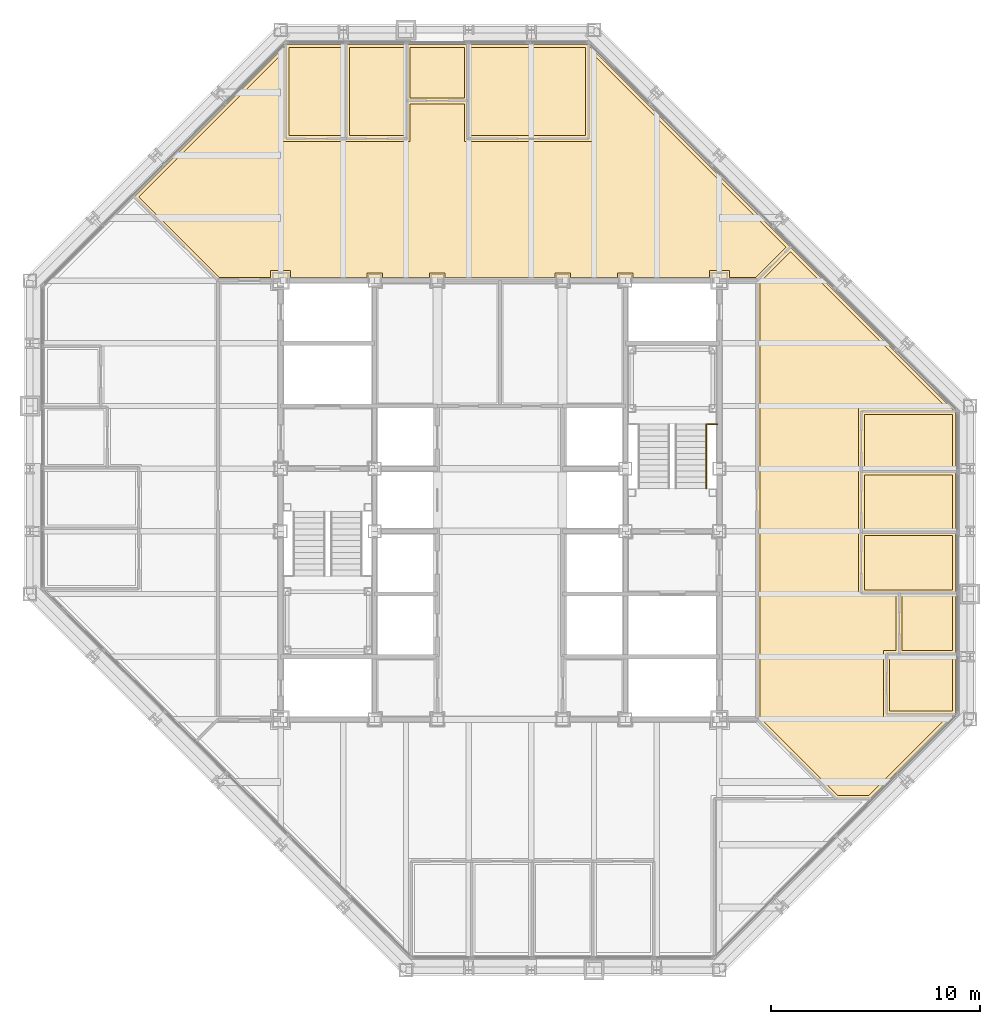
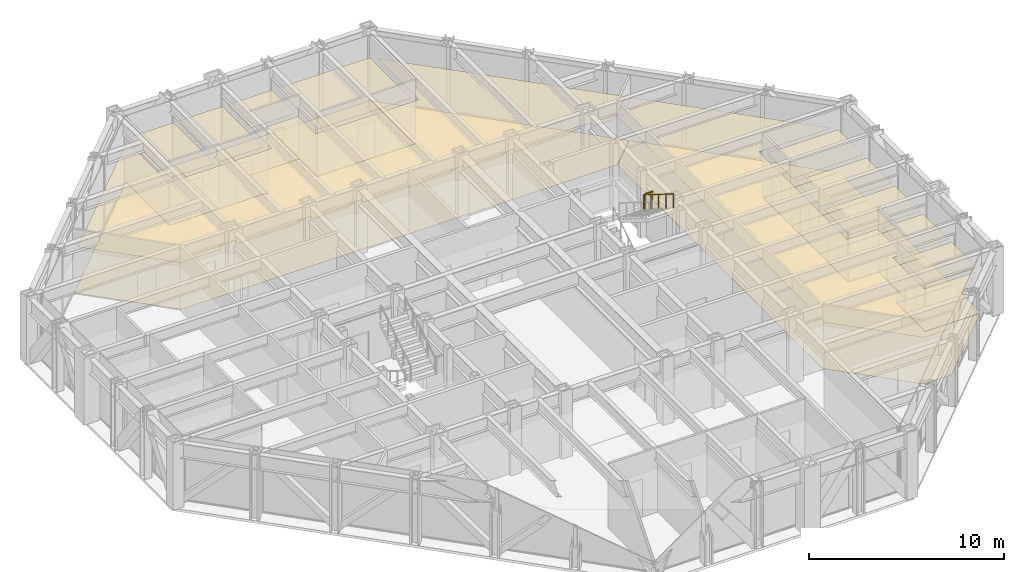
# One storey, part 15 of 15: 22 coverings, 2 railings.
"""IFC4 building model written with IfcOpenShell, lengths in metres."""

from ifc_helpers import new_model, si_unit, direction, frame, origin, origin_2d, place, context, subcontext, project, spatial, polyline, circle, outline, extrude, material, layer, layer_set, type_object, element, save


model = new_model("IFC4")

# Units and contexts
model_context = context("Model", 3, precision=1e-05, world=origin(), true_north=direction((0.0, 1.0)))
body_context = subcontext(model_context, "Body", "Model", "MODEL_VIEW")
ifc_project = project(units=[si_unit("LENGTHUNIT", "METRE"), si_unit("AREAUNIT", "SQUARE_METRE"), si_unit("VOLUMEUNIT", "CUBIC_METRE"), si_unit("PLANEANGLEUNIT", "RADIAN"), si_unit("MASSUNIT", "GRAM", prefix="KILO")], contexts=[model_context])

# Site, building, storey
site_placement = place(None, origin())
site = spatial("IfcSite", under=ifc_project, at=site_placement, CompositionType="ELEMENT")
building_placement = place(site_placement, origin())
building = spatial("IfcBuilding", under=site, at=building_placement, Name="Chuquiago Exchange Tower", CompositionType="ELEMENT")
storey_placement = place(building_placement, frame((0.0, 0.0, 192.89990234375)))
storey = spatial("IfcBuildingStorey", under=building, at=storey_placement, Name="L42", CompositionType="ELEMENT", Elevation=192.89990234375)

# Coverings
ifc_material_1 = material(Name="Mineral fibre tile, 600 x 600, on pale metal grid", Category="mineral fibre")
ifc_layer_1 = layer(ifc_material_1, 0.02001953125)
ifc_layer_set_1 = layer_set([ifc_layer_1], Name="CL1 suspended tile ceiling 20")
covering_type_1 = type_object("IfcCoveringType", Name="CL1 suspended tile ceiling 20", PredefinedType="CEILING", material=ifc_layer_set_1)
covering_1_placement = place(storey_placement, frame((0.0, 0.0, 2.800048828125)))
element("IfcCovering", 1, at=covering_1_placement, inside=storey, type_object=covering_type_1, Name="Ceiling Pantry", PredefinedType="CEILING", context=body_context, shape_type="SweptSolid", body=[
    extrude(outline(polyline([(41.14990234375, 12.3984375), (41.14990234375, 14.9990234375), (44.14990234375, 14.9990234375), (44.14990234375, 12.3984375), (41.14990234375, 12.3984375)])), origin(), (0.0, 0.0, 1.0), 0.02001953125),
])
covering_2_placement = place(storey_placement, frame((0.0, 0.0, 2.800048828125)))
element("IfcCovering", 2, at=covering_2_placement, inside=storey, type_object=covering_type_1, Name="Ceiling Focus room", PredefinedType="CEILING", context=body_context, shape_type="SweptSolid", body=[
    extrude(outline(polyline([(41.75, 15.299072265625), (41.75, 17.899658203125), (44.14990234375, 17.899658203125), (44.14990234375, 15.299072265625), (41.75, 15.299072265625)])), origin(), (0.0, 0.0, 1.0), 0.02001953125),
])
covering_3_placement = place(storey_placement, frame((0.0, 0.0, 2.800048828125)))
element("IfcCovering", 3, at=covering_3_placement, inside=storey, type_object=covering_type_1, Name="Ceiling Office", PredefinedType="CEILING", context=body_context, shape_type="SweptSolid", body=[
    extrude(outline(polyline([(39.949951171875, 18.19970703125), (39.949951171875, 20.80029296875), (44.14990234375, 20.80029296875), (44.14990234375, 18.19970703125), (39.949951171875, 18.19970703125)])), origin(), (0.0, 0.0, 1.0), 0.02001953125),
])
covering_4_placement = place(storey_placement, frame((0.0, 0.0, 2.800048828125)))
element("IfcCovering", 4, at=covering_4_placement, inside=storey, type_object=covering_type_1, Name="Ceiling Meeting room", PredefinedType="CEILING", context=body_context, shape_type="SweptSolid", body=[
    extrude(outline(polyline([(39.949951171875, 21.100341796875), (39.949951171875, 23.700927734375), (44.14990234375, 23.700927734375), (44.14990234375, 21.100341796875), (39.949951171875, 21.100341796875)])), origin(), (0.0, 0.0, 1.0), 0.02001953125),
])
covering_5_placement = place(storey_placement, frame((0.0, 0.0, 2.800048828125)))
element("IfcCovering", 5, at=covering_5_placement, inside=storey, type_object=covering_type_1, Name="Ceiling Meeting room", PredefinedType="CEILING", context=body_context, shape_type="SweptSolid", body=[
    extrude(outline(polyline([(44.14990234375, 24.0009765625), (39.949951171875, 24.0009765625), (39.949951171875, 26.6015625), (44.14990234375, 26.6015625), (44.14990234375, 24.0009765625)])), origin(), (0.0, 0.0, 1.0), 0.02001953125),
])
covering_6_placement = place(storey_placement, frame((0.0, 0.0, 2.800048828125)))
element("IfcCovering", 6, at=covering_6_placement, inside=storey, type_object=covering_type_1, Name="Ceiling Office", PredefinedType="CEILING", context=body_context, shape_type="SweptSolid", body=[
    extrude(outline(polyline([(14.9990234375, 44.14990234375), (14.9990234375, 39.949951171875), (12.3984375, 39.949951171875), (12.3984375, 44.14990234375), (14.9990234375, 44.14990234375)])), origin(), (0.0, 0.0, 1.0), 0.02001953125),
])
covering_7_placement = place(storey_placement, frame((0.0, 0.0, 2.800048828125)))
element("IfcCovering", 7, at=covering_7_placement, inside=storey, type_object=covering_type_1, Name="Ceiling Office", PredefinedType="CEILING", context=body_context, shape_type="SweptSolid", body=[
    extrude(outline(polyline([(17.899658203125, 39.949951171875), (15.299072265625, 39.949951171875), (15.299072265625, 44.14990234375), (17.899658203125, 44.14990234375), (17.899658203125, 39.949951171875)])), origin(), (0.0, 0.0, 1.0), 0.02001953125),
])
covering_8_placement = place(storey_placement, frame((0.0, 0.0, 2.800048828125)))
element("IfcCovering", 8, at=covering_8_placement, inside=storey, type_object=covering_type_1, Name="Ceiling Focus room", PredefinedType="CEILING", context=body_context, shape_type="SweptSolid", body=[
    extrude(outline(polyline([(20.80029296875, 41.75), (18.19970703125, 41.75), (18.19970703125, 44.14990234375), (20.80029296875, 44.14990234375), (20.80029296875, 41.75)])), origin(), (0.0, 0.0, 1.0), 0.02001953125),
])
covering_9_placement = place(storey_placement, frame((0.0, 0.0, 2.800048828125)))
element("IfcCovering", 9, at=covering_9_placement, inside=storey, type_object=covering_type_1, Name="Ceiling Meeting room", PredefinedType="CEILING", context=body_context, shape_type="SweptSolid", body=[
    extrude(outline(polyline([(26.6015625, 39.949951171875), (21.100341796875, 39.949951171875), (21.100341796875, 44.14990234375), (26.6015625, 44.14990234375), (26.6015625, 39.949951171875)])), origin(), (0.0, 0.0, 1.0), 0.02001953125),
])
covering_10_placement = place(storey_placement, frame((0.0, 0.0, 2.800048828125)))
element("IfcCovering", 10, at=covering_10_placement, inside=storey, type_object=covering_type_1, Name="Ceiling Open office north", PredefinedType="CEILING", context=body_context, shape_type="SweptSolid", body=[
    extrude(outline(polyline([(12.098388671875, 39.64990234375), (18.19970703125, 39.64990234375), (18.19970703125, 41.449951171875), (20.80029296875, 41.449951171875), (20.80029296875, 39.64990234375), (26.901611328125, 39.64990234375), (26.901611328125, 43.896484375), (36.192626953125, 34.60546875), (34.7373046875, 33.14990234375), (33.47509765625, 33.14990234375), (33.47509765625, 33.47509765625), (32.52490234375, 33.47509765625), (32.52490234375, 33.14990234375), (28.875, 33.14990234375), (28.875, 33.375), (28.125, 33.375), (28.125, 33.14990234375), (25.875, 33.14990234375), (25.875, 33.375), (25.125, 33.375), (25.125, 33.14990234375), (19.875, 33.14990234375), (19.875, 33.375), (19.125, 33.375), (19.125, 33.14990234375), (16.875, 33.14990234375), (16.875, 33.375), (16.125, 33.375), (16.125, 33.14990234375), (12.47509765625, 33.14990234375), (12.47509765625, 33.47509765625), (11.52490234375, 33.47509765625), (11.52490234375, 33.14990234375), (9.0625, 33.14990234375), (5.20751953125, 37.00537109375), (12.098388671875, 43.896484375), (12.098388671875, 39.64990234375)])), origin(), (0.0, 0.0, 1.0), 0.02001953125),
])
covering_11_placement = place(storey_placement, frame((0.0, 0.0, 2.800048828125)))
element("IfcCovering", 11, at=covering_11_placement, inside=storey, type_object=covering_type_1, Name="Ceiling Open office east", PredefinedType="CEILING", context=body_context, shape_type="SweptSolid", body=[
    extrude(outline(polyline([(40.14794921875, 8.35009765625), (38.662841796875, 8.35009765625), (34.949951171875, 12.0625), (34.949951171875, 32.9375), (36.405517578125, 34.392578125), (43.896484375, 26.901611328125), (39.64990234375, 26.901611328125), (39.64990234375, 17.899658203125), (41.449951171875, 17.899658203125), (41.449951171875, 15.299072265625), (40.85009765625, 15.299072265625), (40.85009765625, 12.098388671875), (43.896484375, 12.098388671875), (40.14794921875, 8.35009765625)])), origin(), (0.0, 0.0, 1.0), 0.02001953125),
])
ifc_material_2 = material(Name="Carpet tile, 500 x 500, on the floor slab", Category="textile")
ifc_layer_2 = layer(ifc_material_2, 0.010009765625)
ifc_layer_set_2 = layer_set([ifc_layer_2], Name="FL1 carpet tile 10")
covering_type_2 = type_object("IfcCoveringType", Name="FL1 carpet tile 10", PredefinedType="FLOORING", material=ifc_layer_set_2)
covering_12_placement = place(storey_placement, origin())
element("IfcCovering", 12, at=covering_12_placement, inside=storey, type_object=covering_type_2, Name="Floor finish Focus room", PredefinedType="FLOORING", context=body_context, shape_type="SweptSolid", body=[
    extrude(outline(polyline([(44.300048828125, 15.149169921875), (41.60009765625, 15.149169921875), (41.60009765625, 18.0498046875), (44.300048828125, 18.0498046875), (44.300048828125, 15.149169921875)])), origin(), (0.0, 0.0, 1.0), 0.010009765625),
])
covering_13_placement = place(storey_placement, origin())
element("IfcCovering", 13, at=covering_13_placement, inside=storey, type_object=covering_type_2, Name="Floor finish Office", PredefinedType="FLOORING", context=body_context, shape_type="SweptSolid", body=[
    extrude(outline(polyline([(44.300048828125, 18.0498046875), (39.800048828125, 18.0498046875), (39.800048828125, 20.9501953125), (44.300048828125, 20.9501953125), (44.300048828125, 18.0498046875)])), origin(), (0.0, 0.0, 1.0), 0.010009765625),
])
covering_14_placement = place(storey_placement, origin())
element("IfcCovering", 14, at=covering_14_placement, inside=storey, type_object=covering_type_2, Name="Floor finish Meeting room", PredefinedType="FLOORING", context=body_context, shape_type="SweptSolid", body=[
    extrude(outline(polyline([(44.300048828125, 20.9501953125), (39.800048828125, 20.9501953125), (39.800048828125, 23.850830078125), (44.300048828125, 23.850830078125), (44.300048828125, 20.9501953125)])), origin(), (0.0, 0.0, 1.0), 0.010009765625),
])
covering_15_placement = place(storey_placement, origin())
element("IfcCovering", 15, at=covering_15_placement, inside=storey, type_object=covering_type_2, Name="Floor finish Meeting room", PredefinedType="FLOORING", context=body_context, shape_type="SweptSolid", body=[
    extrude(outline(polyline([(44.300048828125, 26.710205078125), (44.300048828125, 23.850830078125), (39.800048828125, 23.850830078125), (39.800048828125, 26.75146484375), (44.258544921875, 26.75146484375), (44.300048828125, 26.710205078125)])), origin(), (0.0, 0.0, 1.0), 0.010009765625),
])
covering_16_placement = place(storey_placement, origin())
element("IfcCovering", 16, at=covering_16_placement, inside=storey, type_object=covering_type_2, Name="Floor finish Office", PredefinedType="FLOORING", context=body_context, shape_type="SweptSolid", body=[
    extrude(outline(polyline([(12.289794921875, 44.300048828125), (15.149169921875, 44.300048828125), (15.149169921875, 39.800048828125), (12.24853515625, 39.800048828125), (12.24853515625, 44.258544921875), (12.289794921875, 44.300048828125)])), origin(), (0.0, 0.0, 1.0), 0.010009765625),
])
covering_17_placement = place(storey_placement, origin())
element("IfcCovering", 17, at=covering_17_placement, inside=storey, type_object=covering_type_2, Name="Floor finish Office", PredefinedType="FLOORING", context=body_context, shape_type="SweptSolid", body=[
    extrude(outline(polyline([(18.0498046875, 44.300048828125), (18.0498046875, 39.800048828125), (15.149169921875, 39.800048828125), (15.149169921875, 44.300048828125), (18.0498046875, 44.300048828125)])), origin(), (0.0, 0.0, 1.0), 0.010009765625),
])
covering_18_placement = place(storey_placement, origin())
element("IfcCovering", 18, at=covering_18_placement, inside=storey, type_object=covering_type_2, Name="Floor finish Focus room", PredefinedType="FLOORING", context=body_context, shape_type="SweptSolid", body=[
    extrude(outline(polyline([(20.9501953125, 44.300048828125), (20.9501953125, 41.60009765625), (18.0498046875, 41.60009765625), (18.0498046875, 44.300048828125), (20.9501953125, 44.300048828125)])), origin(), (0.0, 0.0, 1.0), 0.010009765625),
])
covering_19_placement = place(storey_placement, origin())
element("IfcCovering", 19, at=covering_19_placement, inside=storey, type_object=covering_type_2, Name="Floor finish Meeting room", PredefinedType="FLOORING", context=body_context, shape_type="SweptSolid", body=[
    extrude(outline(polyline([(26.710205078125, 44.300048828125), (26.75146484375, 44.258544921875), (26.75146484375, 39.800048828125), (20.9501953125, 39.800048828125), (20.9501953125, 44.300048828125), (26.710205078125, 44.300048828125)])), origin(), (0.0, 0.0, 1.0), 0.010009765625),
])
covering_20_placement = place(storey_placement, origin())
element("IfcCovering", 20, at=covering_20_placement, inside=storey, type_object=covering_type_2, Name="Floor finish Open office north", PredefinedType="FLOORING", context=body_context, shape_type="SweptSolid", body=[
    extrude(outline(polyline([(12.24853515625, 44.258544921875), (12.24853515625, 39.800048828125), (18.0498046875, 39.800048828125), (18.0498046875, 41.60009765625), (20.9501953125, 41.60009765625), (20.9501953125, 39.800048828125), (26.75146484375, 39.800048828125), (26.75146484375, 44.258544921875), (36.40478515625, 34.60546875), (34.799560546875, 33.0), (9.00048828125, 33.0), (4.995361328125, 37.00537109375), (12.289794921875, 44.300048828125), (12.24853515625, 44.258544921875)])), origin(), (0.0, 0.0, 1.0), 0.010009765625),
])
covering_21_placement = place(storey_placement, origin())
element("IfcCovering", 21, at=covering_21_placement, inside=storey, type_object=covering_type_2, Name="Floor finish Open office east", PredefinedType="FLOORING", context=body_context, shape_type="SweptSolid", body=[
    extrude(outline(polyline([(44.258544921875, 26.75146484375), (39.800048828125, 26.75146484375), (39.800048828125, 18.0498046875), (41.60009765625, 18.0498046875), (41.60009765625, 15.149169921875), (41.0, 15.149169921875), (41.0, 12.24853515625), (44.258544921875, 12.24853515625), (44.300048828125, 12.289794921875), (40.210205078125, 8.199951171875), (38.6005859375, 8.199951171875), (34.800048828125, 12.00048828125), (34.800048828125, 32.99951171875), (36.405517578125, 34.604736328125), (44.258544921875, 26.75146484375)])), origin(), (0.0, 0.0, 1.0), 0.010009765625),
])
ifc_material_3 = material(Name="Porcelain floor tile, 600 x 600, on adhesive bed", Category="ceramic")
ifc_layer_3 = layer(ifc_material_3, 0.014892578125)
ifc_layer_set_3 = layer_set([ifc_layer_3], Name="FL2 porcelain tile 15")
covering_type_3 = type_object("IfcCoveringType", Name="FL2 porcelain tile 15", PredefinedType="FLOORING", material=ifc_layer_set_3)
covering_22_placement = place(storey_placement, origin())
element("IfcCovering", 22, at=covering_22_placement, inside=storey, type_object=covering_type_3, Name="Floor finish Pantry", PredefinedType="FLOORING", context=body_context, shape_type="SweptSolid", body=[
    extrude(outline(polyline([(44.300048828125, 12.289794921875), (44.258544921875, 12.24853515625), (41.0, 12.24853515625), (41.0, 15.149169921875), (44.300048828125, 15.149169921875), (44.300048828125, 12.289794921875)])), origin(), (0.0, 0.0, 1.0), 0.01513671875),
])

# Railings
ifc_material_4 = material(Name="Pale metal guard with safety glass infill", Category="glass")
railing_type_1 = type_object("IfcRailingType", Name="GR1 guard 1100", PredefinedType="GUARDRAIL", material=ifc_material_4)
railing_1_placement = place(storey_placement, frame((32.445068359375, 26.1298828125, 2.10009765625)))
element("IfcRailing", 23, at=railing_1_placement, inside=storey, type_object=railing_type_1, Name="Guard ST2 L42 landing 2", PredefinedType="GUARDRAIL", context=body_context, shape_type="SweptSolid", body=[
    extrude(circle(Radius=0.02392578125, at=origin_2d()), frame((0.0, 0.0, 1.076171875), z_axis=(1.0, 0.0, 0.0), x_axis=(0.0, 1.0, 0.0)), (0.0, 0.0, 1.0), 0.454833984375),
    extrude(circle(Radius=0.02099609375, at=origin_2d()), origin(), (0.0, 0.0, 1.0), 1.052001953125),
    extrude(circle(Radius=0.02099609375, at=origin_2d()), frame((0.454833984375, 0.0, 0.0)), (0.0, 0.0, 1.0), 1.052001953125),
])
ifc_material_5 = material(Name="Pale metal handrail", Category="steel")
railing_type_2 = type_object("IfcRailingType", Name="HR1 handrail 900", PredefinedType="HANDRAIL", material=ifc_material_5)
railing_2_placement = place(storey_placement, frame((32.364990234375, 26.1298828125, 2.275146484375)))
element("IfcRailing", 24, at=railing_2_placement, inside=storey, type_object=railing_type_2, Name="Handrail ST2 L42 flight 2", PredefinedType="HANDRAIL", context=body_context, shape_type="SweptSolid", body=[
    extrude(circle(Radius=0.02392578125, at=origin_2d()), frame((0.0, 0.0, 0.8759765625), z_axis=(0.0, -0.847979421464, 0.530029150871), x_axis=(1.0, 0.0, 0.0)), (0.0, 0.0, 1.0), 3.632080078125),
    extrude(circle(Radius=0.02099609375, at=origin_2d()), origin(), (0.0, 0.0, 1.0), 0.851806640625),
    extrude(circle(Radius=0.02099609375, at=origin_2d()), frame((0.0, -0.77001953125, 0.481201171875)), (0.0, 0.0, 1.0), 0.851806640625),
    extrude(circle(Radius=0.02099609375, at=origin_2d()), frame((0.0, -1.5400390625, 0.96240234375)), (0.0, 0.0, 1.0), 0.851806640625),
    extrude(circle(Radius=0.02099609375, at=origin_2d()), frame((0.0, -2.309814453125, 1.44384765625)), (0.0, 0.0, 1.0), 0.851806640625),
    extrude(circle(Radius=0.02099609375, at=origin_2d()), frame((0.0, -3.079833984375, 1.925048828125)), (0.0, 0.0, 1.0), 0.851806640625),
])

save(model, "model.ifc")
